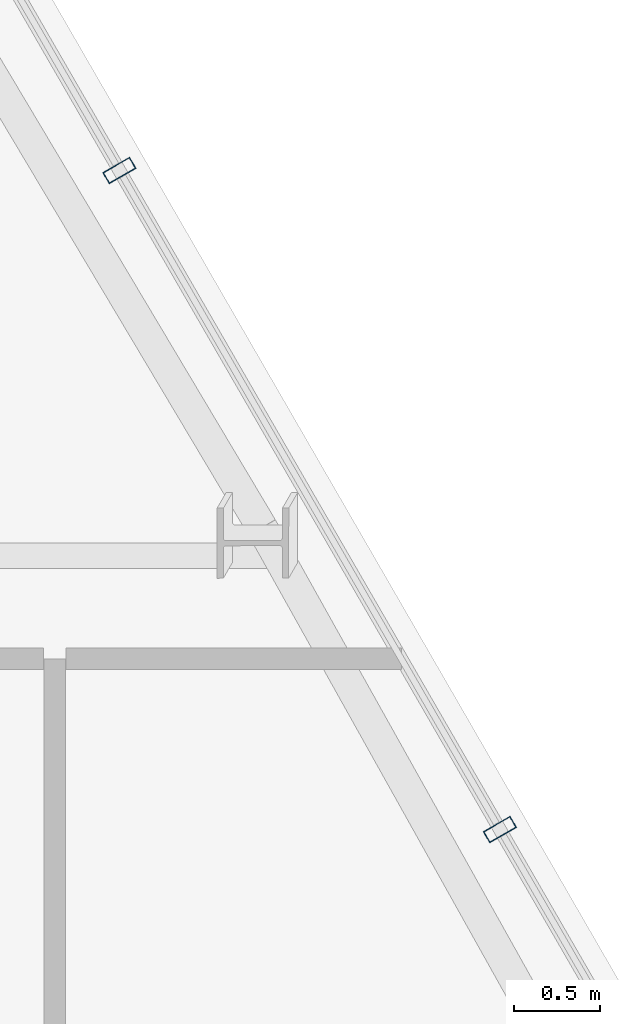
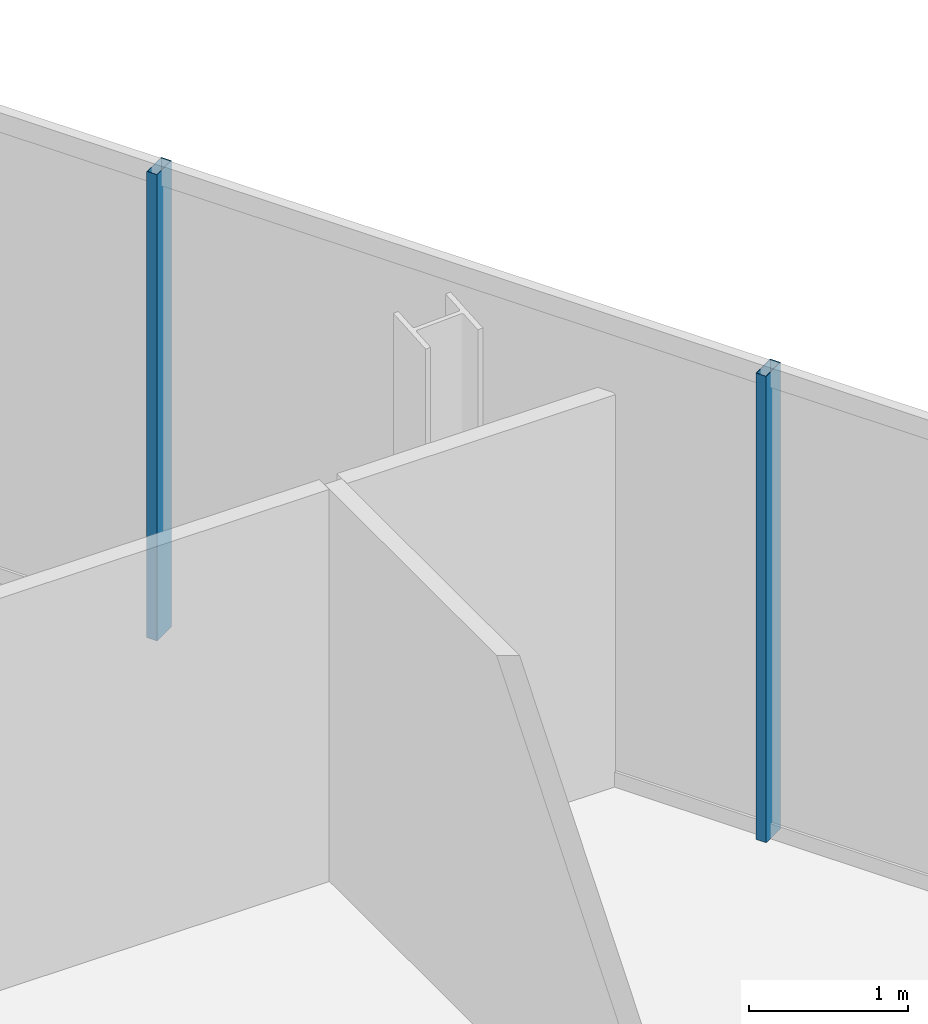
# One storey, part 26 of 34: 2 members, 1 element without a shape of its own.
"""IFC4 building model written with IfcOpenShell, lengths in metres."""

from ifc_helpers import new_model, si_unit, direction, frame, origin, origin_2d, place, context, subcontext, project, spatial, hollow_rectangle, extrude, material, layer, layer_set, material_profile, profile_set, type_object, element, aggregate, save


model = new_model("IFC4")

# Units and contexts
model_context = context("Model", 3, precision=1e-05, world=origin(), true_north=direction((0.0, 1.0)))
body_context = subcontext(model_context, "Body", "Model", "MODEL_VIEW")
ifc_project = project(units=[si_unit("LENGTHUNIT", "METRE"), si_unit("AREAUNIT", "SQUARE_METRE"), si_unit("VOLUMEUNIT", "CUBIC_METRE"), si_unit("PLANEANGLEUNIT", "RADIAN"), si_unit("MASSUNIT", "GRAM", prefix="KILO")], contexts=[model_context])

# Site, building, storey
site_placement = place(None, origin())
site = spatial("IfcSite", under=ifc_project, at=site_placement, CompositionType="ELEMENT")
building_placement = place(site_placement, origin())
building = spatial("IfcBuilding", under=site, at=building_placement, Name="Ndaravel Arena Tower", CompositionType="ELEMENT")
storey_placement = place(building_placement, frame((0.0, 0.0, 267.39990234375)))
storey = spatial("IfcBuildingStorey", under=building, at=storey_placement, Name="L65", CompositionType="ELEMENT", Elevation=267.39990234375)

# Curtain wall, members
ifc_material_1 = material(Name="Aluminium", Category="aluminium")
ifc_layer = layer(ifc_material_1, 0.179931640625)
ifc_layer_set = layer_set([ifc_layer], Name="Aluminium")
curtain_wall_type = type_object("IfcCurtainWallType", Name="CW-SYS-03", PredefinedType="NOTDEFINED", material=ifc_layer_set)
curtain_wall_placement = place(storey_placement, origin())
curtain_wall = element("IfcCurtainWall", 1, at=curtain_wall_placement, inside=storey, type_object=curtain_wall_type, Name="L65 Faceted Crystal Curtain Wall CW-L65-E03", PredefinedType="NOTDEFINED")
ifc_material_2 = material(Name="Aluminium", Category="aluminium")
ifc_material_profile = material_profile(ifc_material_2, hollow_rectangle(XDim=0.074951171875, YDim=0.179931640625, WallThickness=0.00390625, at=origin_2d()), Name="CW MULLION 75x180x4")
ifc_profile_set = profile_set([ifc_material_profile], Name="Aluminium")
member_type = type_object("IfcMemberType", Name="MEM-CW-MUL180", PredefinedType="MULLION", material=ifc_profile_set)
member_1_placement = place(storey_placement, frame((55.786376953125, 25.20849609375, 0.0), z_axis=(0.0, 0.0, 1.0), x_axis=(-0.5, 0.866025403784, 0.0)))
member_1 = element("IfcMember", 2, at=member_1_placement, type_object=member_type, Name="CW-L65-E03 Mullion 04", PredefinedType="MULLION", context=body_context, shape_type="SweptSolid", body=[
    extrude(hollow_rectangle(XDim=0.074951171875, YDim=0.179931640625, WallThickness=0.00390625, at=origin_2d()), origin(), (0.0, 0.0, 1.0), 3.580078125),
])
member_2_placement = place(storey_placement, frame((53.5751953125, 29.03857421875, 0.0), z_axis=(0.0, 0.0, 1.0), x_axis=(-0.5, 0.866025403784, 0.0)))
member_2 = element("IfcMember", 3, at=member_2_placement, type_object=member_type, Name="CW-L65-E03 Mullion 05", PredefinedType="MULLION", context=body_context, shape_type="SweptSolid", body=[
    extrude(hollow_rectangle(XDim=0.074951171875, YDim=0.179931640625, WallThickness=0.00390625, at=origin_2d()), origin(), (0.0, 0.0, 1.0), 3.580078125),
])
aggregate(curtain_wall, [member_1, member_2])

save(model, "model.ifc")
